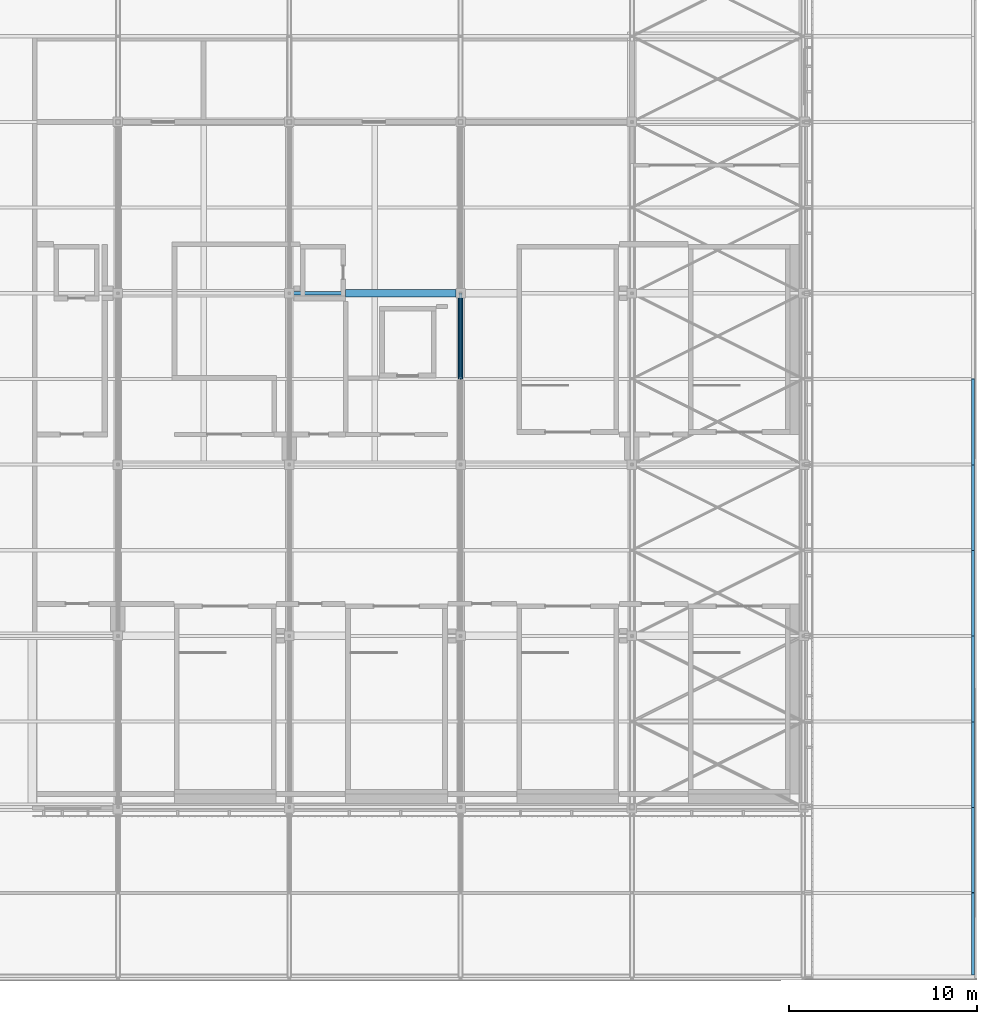
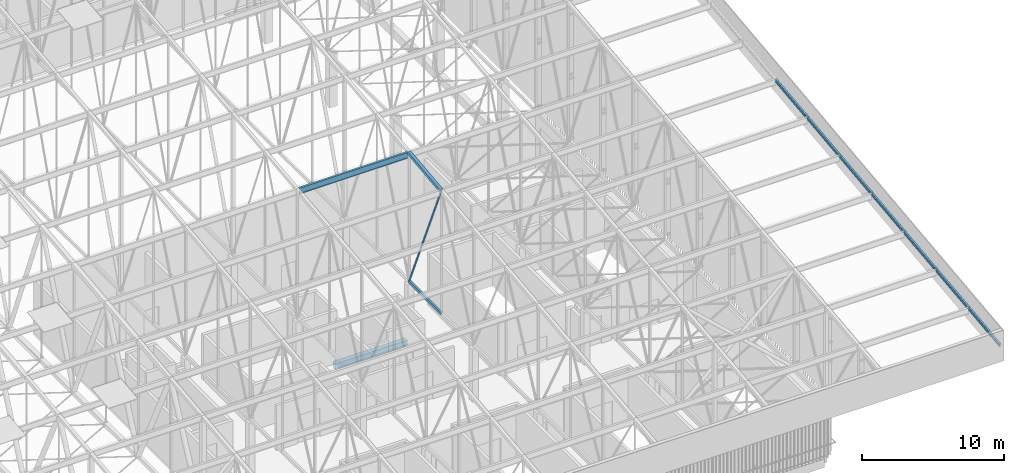
# One storey, part 348 of 500: 11 members, 1 beam.
"""IFC4 building model written with IfcOpenShell, lengths in metres."""

from ifc_helpers import new_model, si_unit, direction, frame, origin, origin_2d, place, context, subcontext, project, spatial, rectangle, hollow_rectangle, hollow_circle, i_section, extrude, material, material_profile, profile_set, type_object, element, save


model = new_model("IFC4")

# Units and contexts
model_context = context("Model", 3, precision=1e-05, world=origin(), true_north=direction((0.0, 1.0)))
body_context = subcontext(model_context, "Body", "Model", "MODEL_VIEW")
ifc_project = project(units=[si_unit("LENGTHUNIT", "METRE"), si_unit("AREAUNIT", "SQUARE_METRE"), si_unit("VOLUMEUNIT", "CUBIC_METRE"), si_unit("PLANEANGLEUNIT", "RADIAN"), si_unit("MASSUNIT", "GRAM", prefix="KILO")], contexts=[model_context])

# Site, building, storey
site_placement = place(None, origin())
site = spatial("IfcSite", under=ifc_project, at=site_placement, CompositionType="ELEMENT")
building_placement = place(site_placement, origin())
building = spatial("IfcBuilding", under=site, at=building_placement, Name="Shirokan Park Arena", CompositionType="ELEMENT")
storey_placement = place(building_placement, frame((0.0, 0.0, 29.1201171875)))
storey = spatial("IfcBuildingStorey", under=building, at=storey_placement, Name="L06", CompositionType="ELEMENT", Elevation=29.1201171875)

# Members
ifc_material_1 = material(Name="Steel ASTM A500 Grade C", Category="steel")
ifc_material_profile_1 = material_profile(ifc_material_1, hollow_rectangle(XDim=0.152099609375, YDim=0.25390625, WallThickness=0.009521484375, at=origin_2d()), Name="HSS254X152.4X9.5")
ifc_profile_set_1 = profile_set([ifc_material_profile_1], Name="Steel ASTM A500 Grade C")
member_type_1 = type_object("IfcMemberType", Name="Bottom chord HSS254X152.4X9.5", PredefinedType="CHORD", material=ifc_profile_set_1)
member_1_placement = place(storey_placement, frame((127.39990234375, 22.75, 4.677001953125), z_axis=(0.0, 1.0, 0.0), x_axis=(-1.0, 0.0, 0.0)))
element("IfcMember", 1, at=member_1_placement, inside=storey, type_object=member_type_1, Name="Truss T15 bottom chord 8", PredefinedType="CHORD", context=body_context, shape_type="SweptSolid", body=[
    extrude(hollow_rectangle(XDim=0.152099609375, YDim=0.25390625, WallThickness=0.009521484375, at=origin_2d()), origin(), (0.0, 0.0, 1.0), 4.550048828125),
])
ifc_material_2 = material(Name="Steel ASTM A992", Category="steel")
ifc_material_profile_2 = material_profile(ifc_material_2, i_section(OverallWidth=0.166015625, OverallDepth=0.528076171875, WebThickness=0.009765625, FlangeThickness=0.013671875, at=origin_2d()), Name="W530X74")
ifc_profile_set_2 = profile_set([ifc_material_profile_2], Name="Steel ASTM A992")
member_type_2 = type_object("IfcMemberType", Name="Purlin W530X74", PredefinedType="PURLIN", material=ifc_profile_set_2)
member_2_placement = place(storey_placement, frame((118.427001953125, 27.300048828125, 15.60595703125), z_axis=(1.0, 0.0, 0.0), x_axis=(0.0, 1.0, 0.0)))
element("IfcMember", 2, at=member_2_placement, inside=storey, type_object=member_type_2, Name="Purlin 9 bay 14", PredefinedType="PURLIN", context=body_context, shape_type="SweptSolid", body=[
    extrude(i_section(OverallWidth=0.166015625, OverallDepth=0.528076171875, WebThickness=0.009765625, FlangeThickness=0.013671875, at=origin_2d()), origin(), (0.0, 0.0, 1.0), 8.845947265625),
])

# Beam
ifc_material_3 = material(Name="Concrete C35", Category="concrete")
ifc_material_profile_3 = material_profile(ifc_material_3, rectangle(XDim=0.39990234375, YDim=0.5, at=origin_2d()), Name="400x500")
ifc_profile_set_3 = profile_set([ifc_material_profile_3], Name="Concrete C35")
beam_type = type_object("IfcBeamType", Name="RC girder 400x500", PredefinedType="BEAM", material=ifc_profile_set_3)
beam_placement = place(storey_placement, frame((121.300048828125, 27.300048828125, -0.4501953125), z_axis=(1.0, 0.0, 0.0), x_axis=(0.0, 1.0, 0.0)))
element("IfcBeam", 3, at=beam_placement, inside=storey, type_object=beam_type, Name="Girder 14D-15D L06", PredefinedType="BEAM", context=body_context, shape_type="SweptSolid", body=[
    extrude(rectangle(XDim=0.39990234375, YDim=0.5, at=origin_2d()), origin(), (0.0, 0.0, 1.0), 5.849853515625),
])

# Members
ifc_material_profile_4 = material_profile(ifc_material_2, i_section(OverallWidth=0.14794921875, OverallDepth=0.26708984375, WebThickness=0.007568359375, FlangeThickness=0.012939453125, at=origin_2d()), Name="W250X44.8")
ifc_profile_set_4 = profile_set([ifc_material_profile_4], Name="Steel ASTM A992")
member_type_3 = type_object("IfcMemberType", Name="Roof edge beam W250X44.8", PredefinedType="USERDEFINED", material=ifc_profile_set_4)
member_3_placement = place(storey_placement, frame((154.6259765625, -8.908935546875, 11.59814453125), z_axis=(0.0, 0.993529264308, 0.113576410242), x_axis=(-1.0, 0.0, 0.0)))
element("IfcMember", 4, at=member_3_placement, inside=storey, type_object=member_type_3, Name="Roof edge beam E 1", ObjectType="ROOF EDGE BEAM", PredefinedType="USERDEFINED", context=body_context, shape_type="SweptSolid", body=[
    extrude(i_section(OverallWidth=0.14794921875, OverallDepth=0.26708984375, WebThickness=0.007568359375, FlangeThickness=0.012939453125, at=origin_2d()), origin(), (0.0, 0.0, 1.0), 4.38720703125),
])
for number, where, z_axis, x_axis, name in (
    (5, (154.6259765625, -4.550048828125, 12.096435546875), (0.0, 0.993532328996, 0.113549598152), (-1.0, 0.0, 0.0), "Roof edge beam E 2"),
    (6, (154.6259765625, 0.0, 12.616455078125), (0.0, 0.993532328996, 0.113549598152), (-1.0, 0.0, 0.0), "Roof edge beam E 3"),
    (7, (154.6259765625, 4.550048828125, 13.136474609375), (0.0, 0.993532328996, 0.113549598152), (-1.0, 0.0, 0.0), "Roof edge beam E 4"),
):
    element("IfcMember", number, at=place(storey_placement, frame(where, z_axis=z_axis, x_axis=x_axis)), inside=storey, type_object=member_type_3, Name=name, ObjectType="ROOF EDGE BEAM", PredefinedType="USERDEFINED", context=body_context, shape_type="SweptSolid", body=[
        extrude(i_section(OverallWidth=0.14794921875, OverallDepth=0.26708984375, WebThickness=0.007568359375, FlangeThickness=0.012939453125, at=origin_2d()), origin(), (0.0, 0.0, 1.0), 4.57958984375),
    ])
member_4_placement = place(storey_placement, frame((154.6259765625, 9.10009765625, 13.656494140625), z_axis=(0.0, 0.993537655009, 0.113502987096), x_axis=(-1.0, 0.0, 0.0)))
element("IfcMember", 8, at=member_4_placement, inside=storey, type_object=member_type_3, Name="Roof edge beam E 5", ObjectType="ROOF EDGE BEAM", PredefinedType="USERDEFINED", context=body_context, shape_type="SweptSolid", body=[
    extrude(i_section(OverallWidth=0.14794921875, OverallDepth=0.26708984375, WebThickness=0.007568359375, FlangeThickness=0.012939453125, at=origin_2d()), origin(), (0.0, 0.0, 1.0), 4.579345703125),
])
for number, where, z_axis, x_axis, name in (
    (9, (154.6259765625, 13.64990234375, 14.17626953125), (0.0, 0.993532328996, 0.113549598152), (-1.0, 0.0, 0.0), "Roof edge beam E 6"),
    (10, (154.6259765625, 18.199951171875, 14.6962890625), (0.0, 0.993532328996, 0.113549598152), (-1.0, 0.0, 0.0), "Roof edge beam E 7"),
):
    element("IfcMember", number, at=place(storey_placement, frame(where, z_axis=z_axis, x_axis=x_axis)), inside=storey, type_object=member_type_3, Name=name, ObjectType="ROOF EDGE BEAM", PredefinedType="USERDEFINED", context=body_context, shape_type="SweptSolid", body=[
        extrude(i_section(OverallWidth=0.14794921875, OverallDepth=0.26708984375, WebThickness=0.007568359375, FlangeThickness=0.012939453125, at=origin_2d()), origin(), (0.0, 0.0, 1.0), 4.57958984375),
    ])
ifc_material_profile_5 = material_profile(ifc_material_1, hollow_rectangle(XDim=0.25390625, YDim=0.25390625, WallThickness=0.009521484375, at=origin_2d()), Name="HSS254X254X9.5")
ifc_profile_set_5 = profile_set([ifc_material_profile_5], Name="Steel ASTM A500 Grade C")
member_type_4 = type_object("IfcMemberType", Name="Top chord HSS254X254X9.5", PredefinedType="CHORD", material=ifc_profile_set_5)
member_5_placement = place(storey_placement, frame((127.39990234375, 22.75, 15.222900390625), z_axis=(0.0, 0.993532328996, 0.113549598152), x_axis=(-1.0, 0.0, 0.0)))
element("IfcMember", 11, at=member_5_placement, inside=storey, type_object=member_type_4, Name="Truss T15 top chord 8", PredefinedType="CHORD", context=body_context, shape_type="SweptSolid", body=[
    extrude(hollow_rectangle(XDim=0.25390625, YDim=0.25390625, WallThickness=0.009521484375, at=origin_2d()), origin(), (0.0, 0.0, 1.0), 4.57958984375),
])
ifc_material_profile_6 = material_profile(ifc_material_1, hollow_circle(Radius=0.070556640625, WallThickness=0.006591796875, at=origin_2d()), Name="HSS141.3X6.6")
ifc_profile_set_6 = profile_set([ifc_material_profile_6], Name="Steel ASTM A500 Grade C")
member_type_5 = type_object("IfcMemberType", Name="Truss diagonal HSS141.3X6.6", PredefinedType="BRACE", material=ifc_profile_set_6)
member_6_placement = place(storey_placement, frame((127.39990234375, 22.75, 15.222900390625), z_axis=(0.0, 0.396152605513, -0.918184683572), x_axis=(-1.0, 0.0, 0.0)))
element("IfcMember", 12, at=member_6_placement, inside=storey, type_object=member_type_5, Name="Truss T15 diagonal 8", PredefinedType="BRACE", context=body_context, shape_type="SweptSolid", body=[
    extrude(hollow_circle(Radius=0.070556640625, WallThickness=0.006591796875, at=origin_2d()), origin(), (0.0, 0.0, 1.0), 11.485595703125),
])

save(model, "model.ifc")
